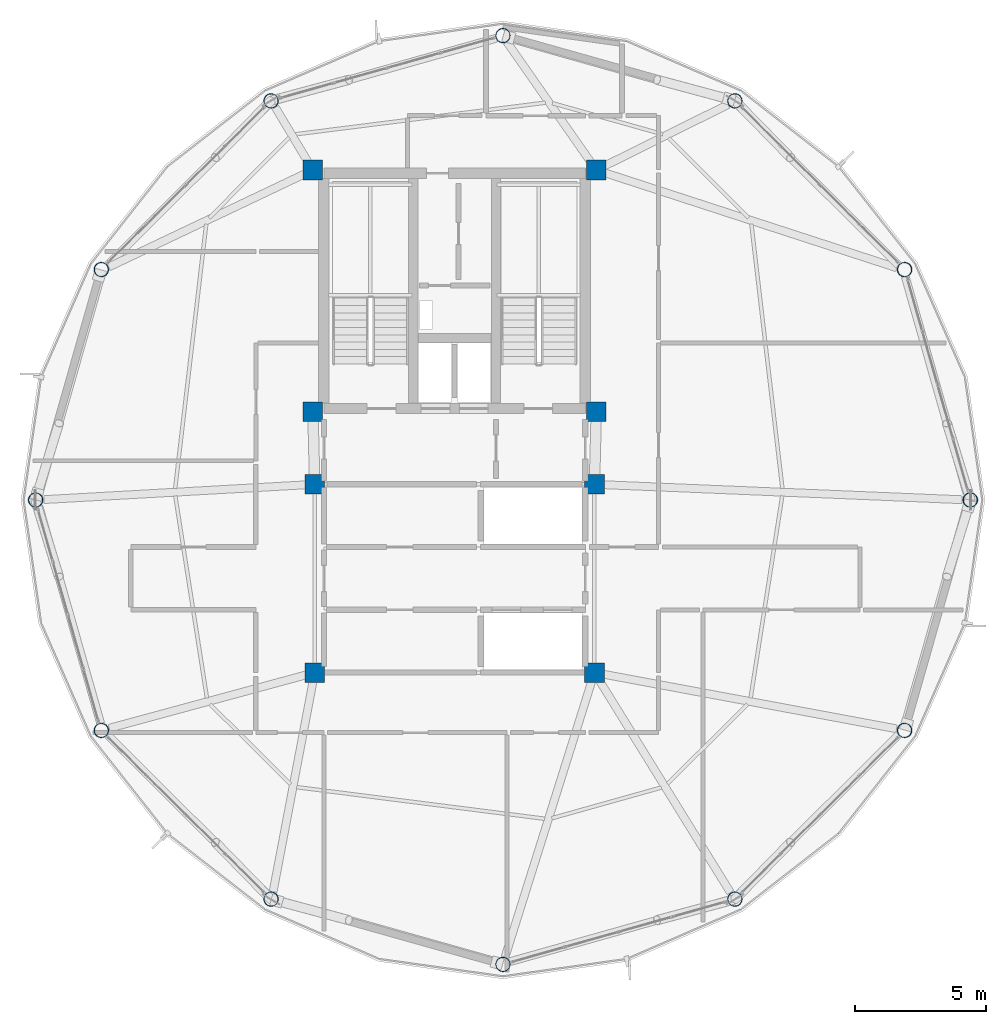
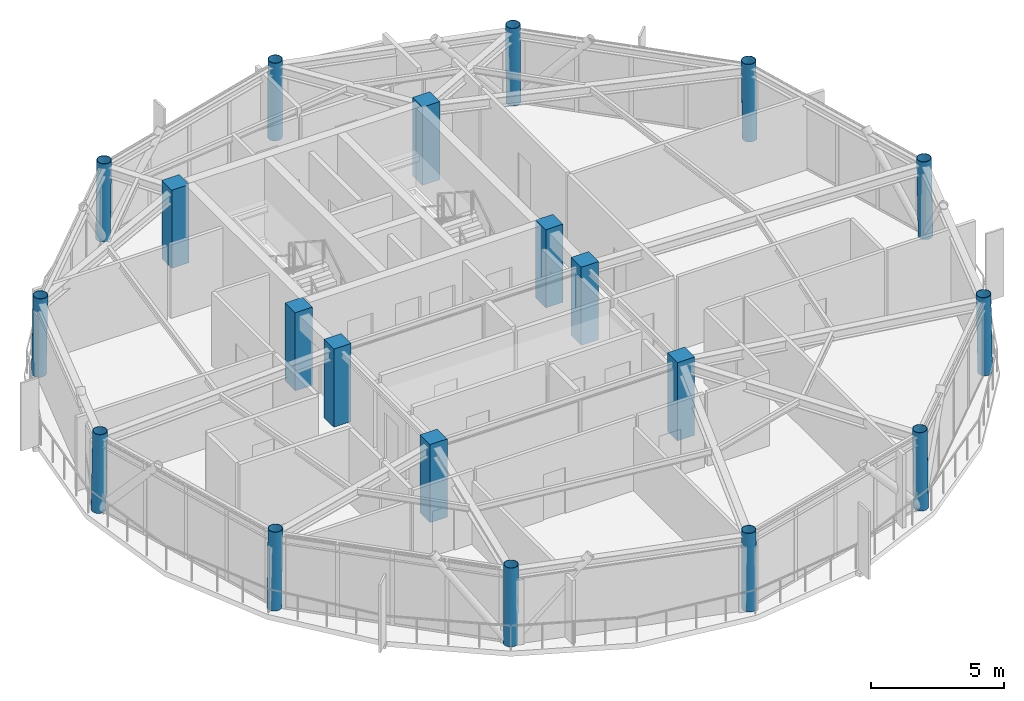
# One storey, part 1 of 24: 20 columns.
"""IFC4 building model written with IfcOpenShell, lengths in metres."""

from ifc_helpers import new_model, si_unit, direction, frame, origin, origin_2d, place, context, subcontext, project, spatial, rectangle, hollow_circle, extrude, material, material_profile, profile_set, type_object, element, save


model = new_model("IFC4")

# Units and contexts
model_context = context("Model", 3, precision=1e-05, world=origin(), true_north=direction((0.0, 1.0)))
body_context = subcontext(model_context, "Body", "Model", "MODEL_VIEW")
ifc_project = project(units=[si_unit("LENGTHUNIT", "METRE"), si_unit("AREAUNIT", "SQUARE_METRE"), si_unit("VOLUMEUNIT", "CUBIC_METRE"), si_unit("PLANEANGLEUNIT", "RADIAN"), si_unit("MASSUNIT", "GRAM", prefix="KILO")], contexts=[model_context])

# Site, building, storey
site_placement = place(None, origin())
site = spatial("IfcSite", under=ifc_project, at=site_placement, CompositionType="ELEMENT")
building_placement = place(site_placement, origin())
building = spatial("IfcBuilding", under=site, at=building_placement, Name="Varnakorn Sky Granary", CompositionType="ELEMENT")
storey_placement = place(building_placement, frame((0.0, 0.0, 281.39990234375)))
storey = spatial("IfcBuildingStorey", under=building, at=storey_placement, Name="L72", CompositionType="ELEMENT", Elevation=281.39990234375)

# Columns
ifc_material_1 = material(Name="Steel S460M", Category="steel")
ifc_material_profile_1 = material_profile(ifc_material_1, hollow_circle(Radius=0.279541015625, WallThickness=0.02001953125, at=origin_2d()), Name="CHS 559x20")
ifc_profile_set_1 = profile_set([ifc_material_profile_1], Name="Steel S460M")
column_type_1 = type_object("IfcColumnType", Name="COL-DC-Z5", PredefinedType="COLUMN", material=ifc_profile_set_1)
column_1_placement = place(storey_placement, frame((22.735107421875, 0.0, 0.0), z_axis=(-0.018775711774, 0.0, 0.999823720787), x_axis=(0.0, -1.0, 0.0)))
element("IfcColumn", 1, at=column_1_placement, inside=storey, type_object=column_type_1, Name="Drum Perimeter Column DC01 L72", PredefinedType="COLUMN", context=body_context, shape_type="SweptSolid", body=[
    extrude(hollow_circle(Radius=0.279541015625, WallThickness=0.02001953125, at=origin_2d()), origin(), (0.0, 0.0, 1.0), 3.575927734375),
])
column_2_placement = place(storey_placement, frame((20.221923828125, 8.81640625, 0.0), z_axis=(-0.01625006369, -0.004711152919, 0.99985685999), x_axis=(0.278450000424, -0.960450726099, 0.0)))
element("IfcColumn", 2, at=column_2_placement, inside=storey, type_object=column_type_1, Name="Drum Perimeter Column DC02 L72", PredefinedType="COLUMN", context=body_context, shape_type="SweptSolid", body=[
    extrude(hollow_circle(Radius=0.279541015625, WallThickness=0.02001953125, at=origin_2d()), origin(), (0.0, 0.0, 1.0), 3.57568359375),
])
for number, where, z_axis, x_axis, name in (
    (3, (13.72509765625, 15.2705078125, 0.0), (-0.009422919993, -0.008193843472, 0.999922031714), (0.656178714925, -0.754605522164, 0.0), "Drum Perimeter Column DC03 L72"),
    (4, (4.85009765625, 17.76806640625, 0.0), (0.0, -0.009559792583, 0.999954304139), (1.0, 0.0, 0.0), "Drum Perimeter Column DC04 L72"),
    (5, (-4.02490234375, 15.2705078125, 0.0), (0.009354643961, -0.008193848725, 0.99992267275), (0.658893247603, 0.75223645768, 0.0), "Drum Perimeter Column DC05 L72"),
):
    element("IfcColumn", number, at=place(storey_placement, frame(where, z_axis=z_axis, x_axis=x_axis)), inside=storey, type_object=column_type_1, Name=name, PredefinedType="COLUMN", context=body_context, shape_type="SweptSolid", body=[
        extrude(hollow_circle(Radius=0.279541015625, WallThickness=0.02001953125, at=origin_2d()), origin(), (0.0, 0.0, 1.0), 3.575439453125),
    ])
column_3_placement = place(storey_placement, frame((-10.52197265625, 8.81640625, 0.0), z_axis=(0.01625006369, -0.004711152919, 0.99985685999), x_axis=(0.278450000424, 0.960450726099, 0.0)))
element("IfcColumn", 6, at=column_3_placement, inside=storey, type_object=column_type_1, Name="Drum Perimeter Column DC06 L72", PredefinedType="COLUMN", context=body_context, shape_type="SweptSolid", body=[
    extrude(hollow_circle(Radius=0.279541015625, WallThickness=0.02001953125, at=origin_2d()), origin(), (0.0, 0.0, 1.0), 3.57568359375),
])
column_4_placement = place(storey_placement, frame((-13.034912109375, 0.0, 0.0), z_axis=(0.018707460396, 0.0, 0.99982500015), x_axis=(0.0, 1.0, 0.0)))
element("IfcColumn", 7, at=column_4_placement, inside=storey, type_object=column_type_1, Name="Drum Perimeter Column DC07 L72", PredefinedType="COLUMN", context=body_context, shape_type="SweptSolid", body=[
    extrude(hollow_circle(Radius=0.279541015625, WallThickness=0.02001953125, at=origin_2d()), origin(), (0.0, 0.0, 1.0), 3.575927734375),
])
column_5_placement = place(storey_placement, frame((-10.52197265625, -8.81640625, 0.0), z_axis=(0.01625006369, 0.004711152919, 0.99985685999), x_axis=(-0.278450000424, 0.960450726099, 0.0)))
element("IfcColumn", 8, at=column_5_placement, inside=storey, type_object=column_type_1, Name="Drum Perimeter Column DC08 L72", PredefinedType="COLUMN", context=body_context, shape_type="SweptSolid", body=[
    extrude(hollow_circle(Radius=0.279541015625, WallThickness=0.02001953125, at=origin_2d()), origin(), (0.0, 0.0, 1.0), 3.57568359375),
])
for number, where, z_axis, x_axis, name in (
    (9, (-4.02490234375, -15.2705078125, 0.0), (0.009354643961, 0.008193848725, 0.99992267275), (-0.658893247603, 0.75223645768, 0.0), "Drum Perimeter Column DC09 L72"),
    (10, (4.85009765625, -17.76806640625, 0.0), (0.0, 0.009559792583, 0.999954304139), (-1.0, 0.0, 0.0), "Drum Perimeter Column DC10 L72"),
    (11, (13.72509765625, -15.2705078125, 0.0), (-0.009422919993, 0.008193843472, 0.999922031714), (-0.656178714925, -0.754605522164, 0.0), "Drum Perimeter Column DC11 L72"),
):
    element("IfcColumn", number, at=place(storey_placement, frame(where, z_axis=z_axis, x_axis=x_axis)), inside=storey, type_object=column_type_1, Name=name, PredefinedType="COLUMN", context=body_context, shape_type="SweptSolid", body=[
        extrude(hollow_circle(Radius=0.279541015625, WallThickness=0.02001953125, at=origin_2d()), origin(), (0.0, 0.0, 1.0), 3.575439453125),
    ])
column_6_placement = place(storey_placement, frame((20.221923828125, -8.81640625, 0.0), z_axis=(-0.01625006369, 0.004711152919, 0.99985685999), x_axis=(-0.278450000424, -0.960450726099, 0.0)))
element("IfcColumn", 12, at=column_6_placement, inside=storey, type_object=column_type_1, Name="Drum Perimeter Column DC12 L72", PredefinedType="COLUMN", context=body_context, shape_type="SweptSolid", body=[
    extrude(hollow_circle(Radius=0.279541015625, WallThickness=0.02001953125, at=origin_2d()), origin(), (0.0, 0.0, 1.0), 3.57568359375),
])
ifc_material_2 = material(Name="Concrete C50/60", Category="concrete")
ifc_material_profile_2 = material_profile(ifc_material_2, rectangle(XDim=0.75, YDim=0.75, at=origin_2d()), Name="RC 750x750")
ifc_profile_set_2 = profile_set([ifc_material_profile_2], Name="Concrete C50/60")
column_type_2 = type_object("IfcColumnType", Name="COL-MC-Z5", PredefinedType="COLUMN", material=ifc_profile_set_2)
for number, where, z_axis, x_axis, name in (
    (13, (-2.419921875, 12.6201171875, 0.0), (0.0, 0.0, 1.0), (1.0, 0.0, 0.0), "Backbone Mega-Column MC1 L72"),
    (14, (8.419921875, 12.6201171875, 0.0), (0.0, 0.0, 1.0), (1.0, 0.0, 0.0), "Backbone Mega-Column MC2 L72"),
    (15, (-2.419921875, 3.3798828125, 0.0), (0.0, 0.0, 1.0), (1.0, 0.0, 0.0), "Backbone Mega-Column MC3 L72"),
    (16, (8.419921875, 3.3798828125, 0.0), (0.0, 0.0, 1.0), (1.0, 0.0, 0.0), "Backbone Mega-Column MC4 L72"),
    (17, (-2.35009765625, 0.60009765625, 0.0), (0.0, 0.0, 1.0), (1.0, 0.0, 0.0), "Backbone Mega-Column MC5 L72"),
    (18, (8.35009765625, 0.60009765625, 0.0), (0.0, 0.0, 1.0), (1.0, 0.0, 0.0), "Backbone Mega-Column MC6 L72"),
    (19, (-2.35009765625, -6.60009765625, 0.0), (0.0, 0.0, 1.0), (1.0, 0.0, 0.0), "Backbone Mega-Column MC7 L72"),
    (20, (8.35009765625, -6.60009765625, 0.0), (0.0, 0.0, 1.0), (1.0, 0.0, 0.0), "Backbone Mega-Column MC8 L72"),
):
    element("IfcColumn", number, at=place(storey_placement, frame(where, z_axis=z_axis, x_axis=x_axis)), inside=storey, type_object=column_type_2, Name=name, PredefinedType="COLUMN", context=body_context, shape_type="SweptSolid", body=[
        extrude(rectangle(XDim=0.75, YDim=0.75, at=origin_2d()), origin(), (0.0, 0.0, 1.0), 3.5751953125),
    ])

save(model, "model.ifc")
